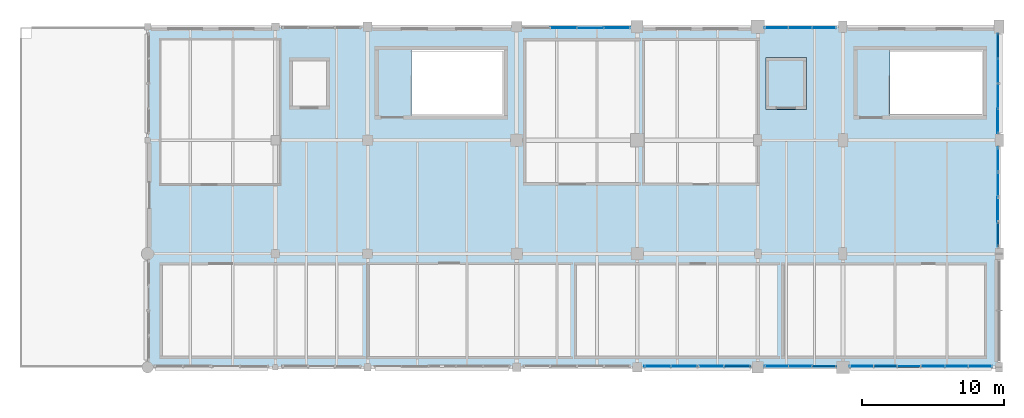
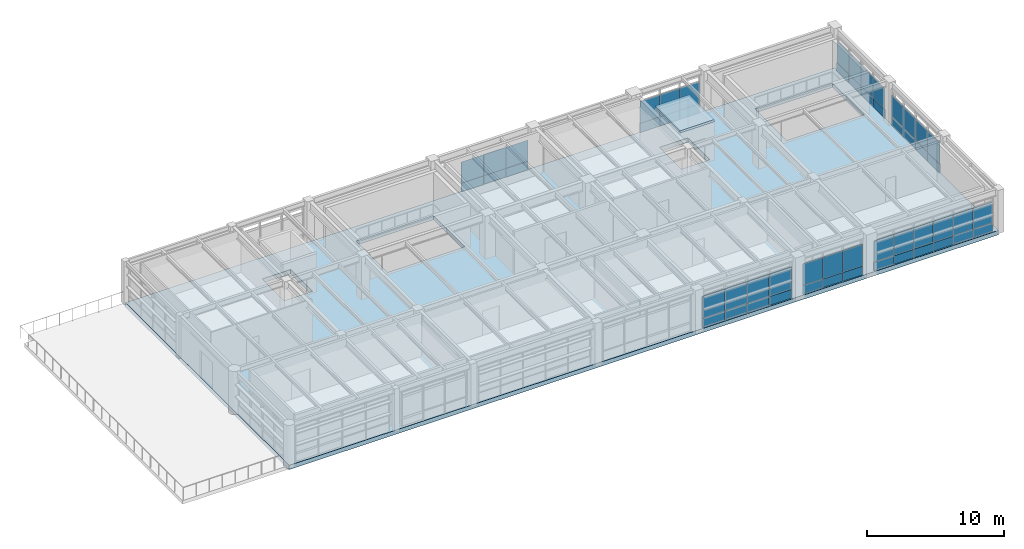
# One storey, part 22 of 26: 54 plates, 2 slabs, 7 elements without a shape of their own.
"""IFC4 building model written with IfcOpenShell, lengths in metres."""

from ifc_helpers import new_model, si_unit, direction, frame, origin, origin_2d, place, context, subcontext, project, spatial, polyline, rectangle, outline, extrude, material, layer, layer_set, type_object, element, aggregate, save


model = new_model("IFC4")

# Units and contexts
model_context = context("Model", 3, precision=1e-05, world=origin(), true_north=direction((0.0, 1.0)))
body_context = subcontext(model_context, "Body", "Model", "MODEL_VIEW")
ifc_project = project(units=[si_unit("LENGTHUNIT", "METRE"), si_unit("AREAUNIT", "SQUARE_METRE"), si_unit("VOLUMEUNIT", "CUBIC_METRE"), si_unit("PLANEANGLEUNIT", "RADIAN"), si_unit("MASSUNIT", "GRAM", prefix="KILO"), si_unit("THERMODYNAMICTEMPERATUREUNIT", "KELVIN"), si_unit("POWERUNIT", "WATT")], contexts=[model_context])

# Site, building, storey
site_placement = place(None, origin())
site = spatial("IfcSite", under=ifc_project, at=site_placement, CompositionType="ELEMENT")
building_placement = place(site_placement, origin())
building = spatial("IfcBuilding", under=site, at=building_placement, Name="Tepalcoro Natatorium and Aquatics Centre", CompositionType="ELEMENT")
storey_placement = place(building_placement, frame((0.0, 0.0, 19.0)))
storey = spatial("IfcBuildingStorey", under=building, at=storey_placement, Name="L04", CompositionType="ELEMENT", Elevation=19.0)

# Curtain wall, plates
ifc_material_1 = material(Name="Bronze-Anodised Extruded Aluminium Alloy EN AW-6063 T6", Category="aluminium")
curtain_wall_type_1 = type_object("IfcCurtainWallType", Name="CW_V5_UPPER", PredefinedType="USERDEFINED", material=ifc_material_1)
curtain_wall_1_placement = place(storey_placement, origin())
curtain_wall_1 = element("IfcCurtainWall", 1, at=curtain_wall_1_placement, inside=storey, type_object=curtain_wall_type_1, Name="V5 L04 S Unitised Curtain Wall Bay 5", ObjectType="FACETED SOLAR GLAZING", PredefinedType="USERDEFINED")
ifc_material_2 = material(Name="Solar-Control Bronze Tempered Low-E Double Glazing", Category="glass")
ifc_layer_1 = layer(ifc_material_2, 0.048095703125)
ifc_layer_set_1 = layer_set([ifc_layer_1], Name="Solar-Control Bronze Tempered Low-E Double Glazing")
plate_type_1 = type_object("IfcPlateType", Name="PL_ACOUSTIC_IGU_48", PredefinedType="CURTAIN_PANEL", material=ifc_layer_set_1)
plate_1_placement = place(storey_placement, frame((151.922607421875, 94.0712890625, 0.85009765625), z_axis=(0.0, 0.0, 1.0), x_axis=(1.0, 0.0, 0.0)))
plate_1 = element("IfcPlate", 2, at=plate_1_placement, type_object=plate_type_1, Name="CW_V5_UPPER Insulated Glazing Unit", PredefinedType="CURTAIN_PANEL", context=body_context, shape_type="SweptSolid", body=[
    extrude(rectangle(XDim=1.864990234375, YDim=0.048095703125, at=origin_2d()), origin(), (0.0, 0.0, 1.0), 1.96240234375),
])
plate_2_placement = place(storey_placement, frame((157.577392578125, 94.0712890625, 0.85009765625), z_axis=(0.0, 0.0, 1.0), x_axis=(1.0, 0.0, 0.0)))
plate_2 = element("IfcPlate", 3, at=plate_2_placement, type_object=plate_type_1, Name="CW_V5_UPPER Insulated Glazing Unit", PredefinedType="CURTAIN_PANEL", context=body_context, shape_type="SweptSolid", body=[
    extrude(rectangle(XDim=1.864990234375, YDim=0.048095703125, at=origin_2d()), origin(), (0.0, 0.0, 1.0), 1.96240234375),
])

# Curtain wall, plate
curtain_wall_type_2 = type_object("IfcCurtainWallType", Name="CW_LEAN_T1_NS", PredefinedType="USERDEFINED", material=ifc_material_1)
curtain_wall_2_placement = place(storey_placement, origin())
curtain_wall_2 = element("IfcCurtainWall", 4, at=curtain_wall_2_placement, inside=storey, type_object=curtain_wall_type_2, Name="V5 L04 S Unitised Curtain Wall Bay 6", ObjectType="FACETED SOLAR GLAZING", PredefinedType="USERDEFINED")
plate_3_placement = place(storey_placement, frame((163.679931640625, 94.06494140625, 0.8310546875), z_axis=(0.0, 0.0, 1.0), x_axis=(1.0, 0.0, 0.0)))
plate_3 = element("IfcPlate", 5, at=plate_3_placement, type_object=plate_type_1, Name="CW_LEAN_T1_NS Insulated Glazing Unit", PredefinedType="CURTAIN_PANEL", context=body_context, shape_type="SweptSolid", body=[
    extrude(rectangle(XDim=1.659912109375, YDim=0.048095703125, at=origin_2d()), origin(), (0.0, 0.0, 1.0), 1.91748046875),
])

# Curtain wall, plates
curtain_wall_type_3 = type_object("IfcCurtainWallType", Name="CW_LEAN_T1_EW", PredefinedType="USERDEFINED", material=ifc_material_1)
curtain_wall_3_placement = place(storey_placement, origin())
curtain_wall_3 = element("IfcCurtainWall", 6, at=curtain_wall_3_placement, inside=storey, type_object=curtain_wall_type_3, Name="V5 L04 S Unitised Curtain Wall Bay 7", ObjectType="FACETED SOLAR GLAZING", PredefinedType="USERDEFINED")
plate_4_placement = place(storey_placement, frame((167.989990234375, 94.0712890625, 0.81201171875), z_axis=(0.0, 0.0, 1.0), x_axis=(1.0, 0.0, 0.0)))
plate_4 = element("IfcPlate", 7, at=plate_4_placement, type_object=plate_type_1, Name="CW_LEAN_T1_EW Insulated Glazing Unit", PredefinedType="CURTAIN_PANEL", context=body_context, shape_type="SweptSolid", body=[
    extrude(rectangle(XDim=1.6533203125, YDim=0.048095703125, at=origin_2d()), origin(), (0.0, 0.0, 1.0), 1.872802734375),
])
plate_5_placement = place(storey_placement, frame((173.010009765625, 94.0712890625, 0.81201171875), z_axis=(0.0, 0.0, 1.0), x_axis=(1.0, 0.0, 0.0)))
plate_5 = element("IfcPlate", 8, at=plate_5_placement, type_object=plate_type_1, Name="CW_LEAN_T1_EW Insulated Glazing Unit", PredefinedType="CURTAIN_PANEL", context=body_context, shape_type="SweptSolid", body=[
    extrude(rectangle(XDim=1.6533203125, YDim=0.048095703125, at=origin_2d()), origin(), (0.0, 0.0, 1.0), 1.872802734375),
])

# Curtain wall, plate
curtain_wall_type_4 = type_object("IfcCurtainWallType", Name="CW_LEAN_T2_EW", PredefinedType="USERDEFINED", material=ifc_material_1)
curtain_wall_4_placement = place(storey_placement, origin())
curtain_wall_4 = element("IfcCurtainWall", 9, at=curtain_wall_4_placement, inside=storey, type_object=curtain_wall_type_4, Name="V5 L04 N Unitised Curtain Wall Bay 4", ObjectType="FACETED SOLAR GLAZING", PredefinedType="USERDEFINED")
plate_6_placement = place(storey_placement, frame((147.1923828125, 117.919921875, 0.81201171875), z_axis=(0.0, 0.0, 1.0), x_axis=(1.0, 0.0, 0.0)))
plate_6 = element("IfcPlate", 10, at=plate_6_placement, type_object=plate_type_1, Name="CW_LEAN_T2_EW Insulated Glazing Unit", PredefinedType="CURTAIN_PANEL", context=body_context, shape_type="SweptSolid", body=[
    extrude(rectangle(XDim=1.864990234375, YDim=0.048095703125, at=origin_2d()), origin(), (0.0, 0.0, 1.0), 1.872802734375),
])

curtain_wall_type_5 = type_object("IfcCurtainWallType", Name="CW_V2_DIVING", PredefinedType="USERDEFINED", material=ifc_material_1)
curtain_wall_5_placement = place(storey_placement, origin())
curtain_wall_5 = element("IfcCurtainWall", 11, at=curtain_wall_5_placement, inside=storey, type_object=curtain_wall_type_5, Name="V5 L04 N Unitised Curtain Wall Bay 6", ObjectType="FACETED SOLAR GLAZING", PredefinedType="USERDEFINED")
plate_7_placement = place(storey_placement, frame((162.0, 117.93505859375, 0.85009765625), z_axis=(0.0, 0.0, 1.0), x_axis=(1.0, 0.0, 0.0)))
plate_7 = element("IfcPlate", 12, at=plate_7_placement, type_object=plate_type_1, Name="CW_V2_DIVING Insulated Glazing Unit", PredefinedType="CURTAIN_PANEL", context=body_context, shape_type="SweptSolid", body=[
    extrude(rectangle(XDim=1.659912109375, YDim=0.048095703125, at=origin_2d()), origin(), (0.0, 0.0, 1.0), 1.96240234375),
])

# Curtain wall, plates
curtain_wall_type_6 = type_object("IfcCurtainWallType", Name="CW_LEAN_T2_NS", PredefinedType="USERDEFINED", material=ifc_material_1)
curtain_wall_6_placement = place(storey_placement, origin())
curtain_wall_6 = element("IfcCurtainWall", 13, at=curtain_wall_6_placement, inside=storey, type_object=curtain_wall_type_6, Name="V5 L04 E Unitised Curtain Wall Bay 2", ObjectType="FACETED SOLAR GLAZING", PredefinedType="USERDEFINED")
plate_8_placement = place(storey_placement, frame((175.923828125, 103.360107421875, 0.8310546875), z_axis=(0.0, 0.0, 1.0), x_axis=(1.0, 0.0, 0.0)))
plate_8 = element("IfcPlate", 14, at=plate_8_placement, type_object=plate_type_1, Name="CW_LEAN_T2_NS Insulated Glazing Unit", PredefinedType="CURTAIN_PANEL", context=body_context, shape_type="SweptSolid", body=[
    extrude(rectangle(XDim=0.048095703125, YDim=1.739990234375, at=origin_2d()), origin(), (0.0, 0.0, 1.0), 1.91748046875),
])
plate_9_placement = place(storey_placement, frame((175.923828125, 108.639892578125, 0.8310546875), z_axis=(0.0, 0.0, 1.0), x_axis=(1.0, 0.0, 0.0)))
plate_9 = element("IfcPlate", 15, at=plate_9_placement, type_object=plate_type_1, Name="CW_LEAN_T2_NS Insulated Glazing Unit", PredefinedType="CURTAIN_PANEL", context=body_context, shape_type="SweptSolid", body=[
    extrude(rectangle(XDim=0.048095703125, YDim=1.739990234375, at=origin_2d()), origin(), (0.0, 0.0, 1.0), 1.91748046875),
])

# Curtain wall, plate
curtain_wall_7_placement = place(storey_placement, origin())
curtain_wall_7 = element("IfcCurtainWall", 16, at=curtain_wall_7_placement, inside=storey, type_object=curtain_wall_type_4, Name="V5 L04 E Unitised Curtain Wall Bay 3", ObjectType="FACETED SOLAR GLAZING", PredefinedType="USERDEFINED")
plate_10_placement = place(storey_placement, frame((175.923828125, 114.8798828125, 0.81201171875), z_axis=(0.0, 0.0, 1.0), x_axis=(1.0, 0.0, 0.0)))
plate_10 = element("IfcPlate", 17, at=plate_10_placement, type_object=plate_type_1, Name="CW_LEAN_T2_EW Insulated Glazing Unit", PredefinedType="CURTAIN_PANEL", context=body_context, shape_type="SweptSolid", body=[
    extrude(rectangle(XDim=0.048095703125, YDim=1.739990234375, at=origin_2d()), origin(), (0.0, 0.0, 1.0), 1.872802734375),
])

# Plate
ifc_layer_2 = layer(ifc_material_2, 0.028076171875)
ifc_layer_set_2 = layer_set([ifc_layer_2], Name="Solar-Control Bronze Tempered Low-E Double Glazing")
plate_type_2 = type_object("IfcPlateType", Name="PL_BRONZE_IGU_28", PredefinedType="CURTAIN_PANEL", material=ifc_layer_set_2)
plate_11_placement = place(storey_placement, frame((155.6923828125, 94.0712890625, 0.85009765625), z_axis=(0.0, 0.0, 1.0), x_axis=(1.0, 0.0, 0.0)))
plate_11 = element("IfcPlate", 18, at=plate_11_placement, type_object=plate_type_2, Name="CW_V5_UPPER Insulated Glazing Unit", PredefinedType="CURTAIN_PANEL", context=body_context, shape_type="SweptSolid", body=[
    extrude(rectangle(XDim=1.864990234375, YDim=0.028076171875, at=origin_2d()), origin(), (0.0, 0.0, 1.0), 1.96240234375),
])

plate_12_placement = place(storey_placement, frame((162.0, 94.06494140625, 0.8310546875), z_axis=(0.0, 0.0, 1.0), x_axis=(1.0, 0.0, 0.0)))
plate_12 = element("IfcPlate", 19, at=plate_12_placement, type_object=plate_type_2, Name="CW_LEAN_T1_NS Insulated Glazing Unit", PredefinedType="CURTAIN_PANEL", context=body_context, shape_type="SweptSolid", body=[
    extrude(rectangle(XDim=1.659912109375, YDim=0.028076171875, at=origin_2d()), origin(), (0.0, 0.0, 1.0), 1.91748046875),
])

plate_13_placement = place(storey_placement, frame((166.316650390625, 94.0712890625, 0.81201171875), z_axis=(0.0, 0.0, 1.0), x_axis=(1.0, 0.0, 0.0)))
plate_13 = element("IfcPlate", 20, at=plate_13_placement, type_object=plate_type_2, Name="CW_LEAN_T1_EW Insulated Glazing Unit", PredefinedType="CURTAIN_PANEL", context=body_context, shape_type="SweptSolid", body=[
    extrude(rectangle(XDim=1.6533203125, YDim=0.028076171875, at=origin_2d()), origin(), (0.0, 0.0, 1.0), 1.872802734375),
])

plate_14_placement = place(storey_placement, frame((171.336669921875, 94.0712890625, 0.81201171875), z_axis=(0.0, 0.0, 1.0), x_axis=(1.0, 0.0, 0.0)))
plate_14 = element("IfcPlate", 21, at=plate_14_placement, type_object=plate_type_2, Name="CW_LEAN_T1_EW Insulated Glazing Unit", PredefinedType="CURTAIN_PANEL", context=body_context, shape_type="SweptSolid", body=[
    extrude(rectangle(XDim=1.6533203125, YDim=0.028076171875, at=origin_2d()), origin(), (0.0, 0.0, 1.0), 1.872802734375),
])

plate_15_placement = place(storey_placement, frame((145.3076171875, 117.919921875, 0.81201171875), z_axis=(0.0, 0.0, 1.0), x_axis=(1.0, 0.0, 0.0)))
plate_15 = element("IfcPlate", 22, at=plate_15_placement, type_object=plate_type_2, Name="CW_LEAN_T2_EW Insulated Glazing Unit", PredefinedType="CURTAIN_PANEL", context=body_context, shape_type="SweptSolid", body=[
    extrude(rectangle(XDim=1.864990234375, YDim=0.028076171875, at=origin_2d()), origin(), (0.0, 0.0, 1.0), 1.872802734375),
])

plate_16_placement = place(storey_placement, frame((160.320068359375, 117.93505859375, 0.85009765625), z_axis=(0.0, 0.0, 1.0), x_axis=(1.0, 0.0, 0.0)))
plate_16 = element("IfcPlate", 23, at=plate_16_placement, type_object=plate_type_2, Name="CW_V2_DIVING Insulated Glazing Unit", PredefinedType="CURTAIN_PANEL", context=body_context, shape_type="SweptSolid", body=[
    extrude(rectangle(XDim=1.659912109375, YDim=0.028076171875, at=origin_2d()), origin(), (0.0, 0.0, 1.0), 1.96240234375),
])

plate_17_placement = place(storey_placement, frame((175.923828125, 106.8798828125, 0.8310546875), z_axis=(0.0, 0.0, 1.0), x_axis=(1.0, 0.0, 0.0)))
plate_17 = element("IfcPlate", 24, at=plate_17_placement, type_object=plate_type_2, Name="CW_LEAN_T2_NS Insulated Glazing Unit", PredefinedType="CURTAIN_PANEL", context=body_context, shape_type="SweptSolid", body=[
    extrude(rectangle(XDim=0.028076171875, YDim=1.739990234375, at=origin_2d()), origin(), (0.0, 0.0, 1.0), 1.91748046875),
])

plate_18_placement = place(storey_placement, frame((175.923828125, 113.1201171875, 0.81201171875), z_axis=(0.0, 0.0, 1.0), x_axis=(1.0, 0.0, 0.0)))
plate_18 = element("IfcPlate", 25, at=plate_18_placement, type_object=plate_type_2, Name="CW_LEAN_T2_EW Insulated Glazing Unit", PredefinedType="CURTAIN_PANEL", context=body_context, shape_type="SweptSolid", body=[
    extrude(rectangle(XDim=0.028076171875, YDim=1.739990234375, at=origin_2d()), origin(), (0.0, 0.0, 1.0), 1.872802734375),
])

ifc_material_3 = material(Name="Jalisco Cantera Rosa Volcanic Tuff Ashlar Masonry", Category="masonry")
ifc_layer_3 = layer(ifc_material_3, 0.090087890625)
ifc_layer_set_3 = layer_set([ifc_layer_3], Name="Jalisco Cantera Rosa Volcanic Tuff Ashlar Masonry")
plate_type_3 = type_object("IfcPlateType", Name="PL_CANTERA_90", PredefinedType="SHEET", material=ifc_layer_set_3)
plate_19_placement = place(storey_placement, frame((157.577392578125, 94.0712890625, 0.044921875), z_axis=(0.0, 0.0, 1.0), x_axis=(1.0, 0.0, 0.0)))
plate_19 = element("IfcPlate", 26, at=plate_19_placement, type_object=plate_type_3, Name="CW_V5_UPPER Spandrel & Screen Panel", PredefinedType="SHEET", context=body_context, shape_type="SweptSolid", body=[
    extrude(rectangle(XDim=1.864990234375, YDim=0.090087890625, at=origin_2d()), origin(), (0.0, 0.0, 1.0), 0.800048828125),
])

plate_20_placement = place(storey_placement, frame((163.679931640625, 94.06494140625, 0.044921875), z_axis=(0.0, 0.0, 1.0), x_axis=(1.0, 0.0, 0.0)))
plate_20 = element("IfcPlate", 27, at=plate_20_placement, type_object=plate_type_3, Name="CW_LEAN_T1_NS Spandrel & Screen Panel", PredefinedType="SHEET", context=body_context, shape_type="SweptSolid", body=[
    extrude(rectangle(XDim=1.659912109375, YDim=0.090087890625, at=origin_2d()), origin(), (0.0, 0.0, 1.0), 0.781005859375),
])

plate_21_placement = place(storey_placement, frame((167.989990234375, 94.0712890625, 0.044921875), z_axis=(0.0, 0.0, 1.0), x_axis=(1.0, 0.0, 0.0)))
plate_21 = element("IfcPlate", 28, at=plate_21_placement, type_object=plate_type_3, Name="CW_LEAN_T1_EW Spandrel & Screen Panel", PredefinedType="SHEET", context=body_context, shape_type="SweptSolid", body=[
    extrude(rectangle(XDim=1.6533203125, YDim=0.090087890625, at=origin_2d()), origin(), (0.0, 0.0, 1.0), 0.761962890625),
])

plate_22_placement = place(storey_placement, frame((175.923828125, 116.639892578125, 0.044921875), z_axis=(0.0, 0.0, 1.0), x_axis=(1.0, 0.0, 0.0)))
plate_22 = element("IfcPlate", 29, at=plate_22_placement, type_object=plate_type_3, Name="CW_LEAN_T2_EW Spandrel & Screen Panel", PredefinedType="SHEET", context=body_context, shape_type="SweptSolid", body=[
    extrude(rectangle(XDim=0.090087890625, YDim=1.739990234375, at=origin_2d()), origin(), (0.0, 0.0, 1.0), 0.761962890625),
])

ifc_material_4 = material(Name="Clear Tempered Low-E Safety Glazing", Category="glass")
ifc_layer_4 = layer(ifc_material_4, 0.011962890625)
ifc_layer_set_4 = layer_set([ifc_layer_4], Name="Clear Tempered Low-E Safety Glazing")
plate_type_4 = type_object("IfcPlateType", Name="PL_GLASS_12", PredefinedType="CURTAIN_PANEL", material=ifc_layer_set_4)
plate_23_placement = place(storey_placement, frame((153.8076171875, 94.0712890625, 0.85009765625), z_axis=(0.0, 0.0, 1.0), x_axis=(1.0, 0.0, 0.0)))
plate_23 = element("IfcPlate", 30, at=plate_23_placement, type_object=plate_type_4, Name="CW_V5_UPPER Insulated Glazing Unit", PredefinedType="CURTAIN_PANEL", context=body_context, shape_type="SweptSolid", body=[
    extrude(rectangle(XDim=1.864990234375, YDim=0.011962890625, at=origin_2d()), origin(), (0.0, 0.0, 1.0), 1.96240234375),
])

plate_24_placement = place(storey_placement, frame((160.320068359375, 94.06494140625, 0.8310546875), z_axis=(0.0, 0.0, 1.0), x_axis=(1.0, 0.0, 0.0)))
plate_24 = element("IfcPlate", 31, at=plate_24_placement, type_object=plate_type_4, Name="CW_LEAN_T1_NS Insulated Glazing Unit", PredefinedType="CURTAIN_PANEL", context=body_context, shape_type="SweptSolid", body=[
    extrude(rectangle(XDim=1.659912109375, YDim=0.011962890625, at=origin_2d()), origin(), (0.0, 0.0, 1.0), 1.91748046875),
])

plate_25_placement = place(storey_placement, frame((169.663330078125, 94.0712890625, 0.81201171875), z_axis=(0.0, 0.0, 1.0), x_axis=(1.0, 0.0, 0.0)))
plate_25 = element("IfcPlate", 32, at=plate_25_placement, type_object=plate_type_4, Name="CW_LEAN_T1_EW Insulated Glazing Unit", PredefinedType="CURTAIN_PANEL", context=body_context, shape_type="SweptSolid", body=[
    extrude(rectangle(XDim=1.6533203125, YDim=0.011962890625, at=origin_2d()), origin(), (0.0, 0.0, 1.0), 1.872802734375),
])

plate_26_placement = place(storey_placement, frame((174.683349609375, 94.0712890625, 0.81201171875), z_axis=(0.0, 0.0, 1.0), x_axis=(1.0, 0.0, 0.0)))
plate_26 = element("IfcPlate", 33, at=plate_26_placement, type_object=plate_type_4, Name="CW_LEAN_T1_EW Insulated Glazing Unit", PredefinedType="CURTAIN_PANEL", context=body_context, shape_type="SweptSolid", body=[
    extrude(rectangle(XDim=1.6533203125, YDim=0.011962890625, at=origin_2d()), origin(), (0.0, 0.0, 1.0), 1.872802734375),
])

plate_27_placement = place(storey_placement, frame((149.077392578125, 117.919921875, 0.81201171875), z_axis=(0.0, 0.0, 1.0), x_axis=(1.0, 0.0, 0.0)))
plate_27 = element("IfcPlate", 34, at=plate_27_placement, type_object=plate_type_4, Name="CW_LEAN_T2_EW Insulated Glazing Unit", PredefinedType="CURTAIN_PANEL", context=body_context, shape_type="SweptSolid", body=[
    extrude(rectangle(XDim=1.864990234375, YDim=0.011962890625, at=origin_2d()), origin(), (0.0, 0.0, 1.0), 1.872802734375),
])

plate_28_placement = place(storey_placement, frame((163.679931640625, 117.93505859375, 0.85009765625), z_axis=(0.0, 0.0, 1.0), x_axis=(1.0, 0.0, 0.0)))
plate_28 = element("IfcPlate", 35, at=plate_28_placement, type_object=plate_type_4, Name="CW_V2_DIVING Insulated Glazing Unit", PredefinedType="CURTAIN_PANEL", context=body_context, shape_type="SweptSolid", body=[
    extrude(rectangle(XDim=1.659912109375, YDim=0.011962890625, at=origin_2d()), origin(), (0.0, 0.0, 1.0), 1.96240234375),
])

plate_29_placement = place(storey_placement, frame((175.923828125, 105.1201171875, 0.8310546875), z_axis=(0.0, 0.0, 1.0), x_axis=(1.0, 0.0, 0.0)))
plate_29 = element("IfcPlate", 36, at=plate_29_placement, type_object=plate_type_4, Name="CW_LEAN_T2_NS Insulated Glazing Unit", PredefinedType="CURTAIN_PANEL", context=body_context, shape_type="SweptSolid", body=[
    extrude(rectangle(XDim=0.011962890625, YDim=1.739990234375, at=origin_2d()), origin(), (0.0, 0.0, 1.0), 1.91748046875),
])

plate_30_placement = place(storey_placement, frame((175.923828125, 111.360107421875, 0.81201171875), z_axis=(0.0, 0.0, 1.0), x_axis=(1.0, 0.0, 0.0)))
plate_30 = element("IfcPlate", 37, at=plate_30_placement, type_object=plate_type_4, Name="CW_LEAN_T2_EW Insulated Glazing Unit", PredefinedType="CURTAIN_PANEL", context=body_context, shape_type="SweptSolid", body=[
    extrude(rectangle(XDim=0.011962890625, YDim=1.739990234375, at=origin_2d()), origin(), (0.0, 0.0, 1.0), 1.872802734375),
])

plate_31_placement = place(storey_placement, frame((175.923828125, 116.639892578125, 0.81201171875), z_axis=(0.0, 0.0, 1.0), x_axis=(1.0, 0.0, 0.0)))
plate_31 = element("IfcPlate", 38, at=plate_31_placement, type_object=plate_type_4, Name="CW_LEAN_T2_EW Insulated Glazing Unit", PredefinedType="CURTAIN_PANEL", context=body_context, shape_type="SweptSolid", body=[
    extrude(rectangle(XDim=0.011962890625, YDim=1.739990234375, at=origin_2d()), origin(), (0.0, 0.0, 1.0), 1.872802734375),
])

ifc_material_5 = material(Name="Volcanic Recinto Basalt Ashlar Masonry", Category="masonry")
ifc_layer_5 = layer(ifc_material_5, 0.110107421875)
ifc_layer_set_5 = layer_set([ifc_layer_5], Name="Volcanic Recinto Basalt Ashlar Masonry")
plate_type_5 = type_object("IfcPlateType", Name="PL_RECINTO_110", PredefinedType="SHEET", material=ifc_layer_set_5)
plate_32_placement = place(storey_placement, frame((169.663330078125, 94.0712890625, 0.044921875), z_axis=(0.0, 0.0, 1.0), x_axis=(1.0, 0.0, 0.0)))
plate_32 = element("IfcPlate", 39, at=plate_32_placement, type_object=plate_type_5, Name="CW_LEAN_T1_EW Spandrel & Screen Panel", PredefinedType="SHEET", context=body_context, shape_type="SweptSolid", body=[
    extrude(rectangle(XDim=1.6533203125, YDim=0.110107421875, at=origin_2d()), origin(), (0.0, 0.0, 1.0), 0.761962890625),
])

plate_33_placement = place(storey_placement, frame((175.923828125, 103.360107421875, 0.044921875), z_axis=(0.0, 0.0, 1.0), x_axis=(1.0, 0.0, 0.0)))
plate_33 = element("IfcPlate", 40, at=plate_33_placement, type_object=plate_type_5, Name="CW_LEAN_T2_NS Spandrel & Screen Panel", PredefinedType="SHEET", context=body_context, shape_type="SweptSolid", body=[
    extrude(rectangle(XDim=0.110107421875, YDim=1.739990234375, at=origin_2d()), origin(), (0.0, 0.0, 1.0), 0.781005859375),
])

ifc_layer_6 = layer(ifc_material_1, 0.050048828125)
ifc_layer_set_6 = layer_set([ifc_layer_6], Name="Bronze-Anodised Extruded Aluminium Alloy EN AW-6063 T6")
plate_type_6 = type_object("IfcPlateType", Name="PL_SCREEN_50", PredefinedType="SHEET", material=ifc_layer_set_6)
plate_34_placement = place(storey_placement, frame((153.8076171875, 94.0712890625, 0.044921875), z_axis=(0.0, 0.0, 1.0), x_axis=(1.0, 0.0, 0.0)))
plate_34 = element("IfcPlate", 41, at=plate_34_placement, type_object=plate_type_6, Name="CW_V5_UPPER Spandrel & Screen Panel", PredefinedType="SHEET", context=body_context, shape_type="SweptSolid", body=[
    extrude(rectangle(XDim=1.864990234375, YDim=0.050048828125, at=origin_2d()), origin(), (0.0, 0.0, 1.0), 0.800048828125),
])

plate_35_placement = place(storey_placement, frame((160.320068359375, 94.06494140625, 0.044921875), z_axis=(0.0, 0.0, 1.0), x_axis=(1.0, 0.0, 0.0)))
plate_35 = element("IfcPlate", 42, at=plate_35_placement, type_object=plate_type_6, Name="CW_LEAN_T1_NS Spandrel & Screen Panel", PredefinedType="SHEET", context=body_context, shape_type="SweptSolid", body=[
    extrude(rectangle(XDim=1.659912109375, YDim=0.050048828125, at=origin_2d()), origin(), (0.0, 0.0, 1.0), 0.781005859375),
])

plate_36_placement = place(storey_placement, frame((173.010009765625, 94.0712890625, 0.044921875), z_axis=(0.0, 0.0, 1.0), x_axis=(1.0, 0.0, 0.0)))
plate_36 = element("IfcPlate", 43, at=plate_36_placement, type_object=plate_type_6, Name="CW_LEAN_T1_EW Spandrel & Screen Panel", PredefinedType="SHEET", context=body_context, shape_type="SweptSolid", body=[
    extrude(rectangle(XDim=1.6533203125, YDim=0.050048828125, at=origin_2d()), origin(), (0.0, 0.0, 1.0), 0.761962890625),
])

plate_37_placement = place(storey_placement, frame((147.1923828125, 117.919921875, 0.044921875), z_axis=(0.0, 0.0, 1.0), x_axis=(1.0, 0.0, 0.0)))
plate_37 = element("IfcPlate", 44, at=plate_37_placement, type_object=plate_type_6, Name="CW_LEAN_T2_EW Spandrel & Screen Panel", PredefinedType="SHEET", context=body_context, shape_type="SweptSolid", body=[
    extrude(rectangle(XDim=1.864990234375, YDim=0.050048828125, at=origin_2d()), origin(), (0.0, 0.0, 1.0), 0.761962890625),
])

plate_38_placement = place(storey_placement, frame((162.0, 117.93505859375, 0.044921875), z_axis=(0.0, 0.0, 1.0), x_axis=(1.0, 0.0, 0.0)))
plate_38 = element("IfcPlate", 45, at=plate_38_placement, type_object=plate_type_6, Name="CW_V2_DIVING Spandrel & Screen Panel", PredefinedType="SHEET", context=body_context, shape_type="SweptSolid", body=[
    extrude(rectangle(XDim=1.659912109375, YDim=0.050048828125, at=origin_2d()), origin(), (0.0, 0.0, 1.0), 0.800048828125),
])

plate_39_placement = place(storey_placement, frame((175.923828125, 106.8798828125, 0.044921875), z_axis=(0.0, 0.0, 1.0), x_axis=(1.0, 0.0, 0.0)))
plate_39 = element("IfcPlate", 46, at=plate_39_placement, type_object=plate_type_6, Name="CW_LEAN_T2_NS Spandrel & Screen Panel", PredefinedType="SHEET", context=body_context, shape_type="SweptSolid", body=[
    extrude(rectangle(XDim=0.050048828125, YDim=1.739990234375, at=origin_2d()), origin(), (0.0, 0.0, 1.0), 0.781005859375),
])

plate_40_placement = place(storey_placement, frame((175.923828125, 113.1201171875, 0.044921875), z_axis=(0.0, 0.0, 1.0), x_axis=(1.0, 0.0, 0.0)))
plate_40 = element("IfcPlate", 47, at=plate_40_placement, type_object=plate_type_6, Name="CW_LEAN_T2_EW Spandrel & Screen Panel", PredefinedType="SHEET", context=body_context, shape_type="SweptSolid", body=[
    extrude(rectangle(XDim=0.050048828125, YDim=1.739990234375, at=origin_2d()), origin(), (0.0, 0.0, 1.0), 0.761962890625),
])

ifc_layer_7 = layer(ifc_material_1, 0.06005859375)
ifc_layer_set_7 = layer_set([ifc_layer_7], Name="Bronze-Anodised Extruded Aluminium Alloy EN AW-6063 T6")
plate_type_7 = type_object("IfcPlateType", Name="PL_SCREEN_60", PredefinedType="SHEET", material=ifc_layer_set_7)
plate_41_placement = place(storey_placement, frame((155.6923828125, 94.0712890625, 0.044921875), z_axis=(0.0, 0.0, 1.0), x_axis=(1.0, 0.0, 0.0)))
plate_41 = element("IfcPlate", 48, at=plate_41_placement, type_object=plate_type_7, Name="CW_V5_UPPER Spandrel & Screen Panel", PredefinedType="SHEET", context=body_context, shape_type="SweptSolid", body=[
    extrude(rectangle(XDim=1.864990234375, YDim=0.06005859375, at=origin_2d()), origin(), (0.0, 0.0, 1.0), 0.800048828125),
])

plate_42_placement = place(storey_placement, frame((162.0, 94.06494140625, 0.044921875), z_axis=(0.0, 0.0, 1.0), x_axis=(1.0, 0.0, 0.0)))
plate_42 = element("IfcPlate", 49, at=plate_42_placement, type_object=plate_type_7, Name="CW_LEAN_T1_NS Spandrel & Screen Panel", PredefinedType="SHEET", context=body_context, shape_type="SweptSolid", body=[
    extrude(rectangle(XDim=1.659912109375, YDim=0.06005859375, at=origin_2d()), origin(), (0.0, 0.0, 1.0), 0.781005859375),
])

aggregate(curtain_wall_2, [plate_24, plate_35, plate_12, plate_42, plate_3, plate_20])

plate_43_placement = place(storey_placement, frame((166.316650390625, 94.0712890625, 0.044921875), z_axis=(0.0, 0.0, 1.0), x_axis=(1.0, 0.0, 0.0)))
plate_43 = element("IfcPlate", 50, at=plate_43_placement, type_object=plate_type_7, Name="CW_LEAN_T1_EW Spandrel & Screen Panel", PredefinedType="SHEET", context=body_context, shape_type="SweptSolid", body=[
    extrude(rectangle(XDim=1.6533203125, YDim=0.06005859375, at=origin_2d()), origin(), (0.0, 0.0, 1.0), 0.761962890625),
])

plate_44_placement = place(storey_placement, frame((174.683349609375, 94.0712890625, 0.044921875), z_axis=(0.0, 0.0, 1.0), x_axis=(1.0, 0.0, 0.0)))
plate_44 = element("IfcPlate", 51, at=plate_44_placement, type_object=plate_type_7, Name="CW_LEAN_T1_EW Spandrel & Screen Panel", PredefinedType="SHEET", context=body_context, shape_type="SweptSolid", body=[
    extrude(rectangle(XDim=1.6533203125, YDim=0.06005859375, at=origin_2d()), origin(), (0.0, 0.0, 1.0), 0.761962890625),
])

plate_45_placement = place(storey_placement, frame((149.077392578125, 117.919921875, 0.044921875), z_axis=(0.0, 0.0, 1.0), x_axis=(1.0, 0.0, 0.0)))
plate_45 = element("IfcPlate", 52, at=plate_45_placement, type_object=plate_type_7, Name="CW_LEAN_T2_EW Spandrel & Screen Panel", PredefinedType="SHEET", context=body_context, shape_type="SweptSolid", body=[
    extrude(rectangle(XDim=1.864990234375, YDim=0.06005859375, at=origin_2d()), origin(), (0.0, 0.0, 1.0), 0.761962890625),
])

plate_46_placement = place(storey_placement, frame((163.679931640625, 117.93505859375, 0.044921875), z_axis=(0.0, 0.0, 1.0), x_axis=(1.0, 0.0, 0.0)))
plate_46 = element("IfcPlate", 53, at=plate_46_placement, type_object=plate_type_7, Name="CW_V2_DIVING Spandrel & Screen Panel", PredefinedType="SHEET", context=body_context, shape_type="SweptSolid", body=[
    extrude(rectangle(XDim=1.659912109375, YDim=0.06005859375, at=origin_2d()), origin(), (0.0, 0.0, 1.0), 0.800048828125),
])

plate_47_placement = place(storey_placement, frame((175.923828125, 108.639892578125, 0.044921875), z_axis=(0.0, 0.0, 1.0), x_axis=(1.0, 0.0, 0.0)))
plate_47 = element("IfcPlate", 54, at=plate_47_placement, type_object=plate_type_7, Name="CW_LEAN_T2_NS Spandrel & Screen Panel", PredefinedType="SHEET", context=body_context, shape_type="SweptSolid", body=[
    extrude(rectangle(XDim=0.06005859375, YDim=1.739990234375, at=origin_2d()), origin(), (0.0, 0.0, 1.0), 0.781005859375),
])

plate_48_placement = place(storey_placement, frame((175.923828125, 114.8798828125, 0.044921875), z_axis=(0.0, 0.0, 1.0), x_axis=(1.0, 0.0, 0.0)))
plate_48 = element("IfcPlate", 55, at=plate_48_placement, type_object=plate_type_7, Name="CW_LEAN_T2_EW Spandrel & Screen Panel", PredefinedType="SHEET", context=body_context, shape_type="SweptSolid", body=[
    extrude(rectangle(XDim=0.06005859375, YDim=1.739990234375, at=origin_2d()), origin(), (0.0, 0.0, 1.0), 0.761962890625),
])

ifc_material_6 = material(Name="Insulated Bronze Anodised Aluminium Spandrel Panel", Category="aluminium")
ifc_layer_8 = layer(ifc_material_6, 0.070068359375)
ifc_layer_set_8 = layer_set([ifc_layer_8], Name="Insulated Bronze Anodised Aluminium Spandrel Panel")
plate_type_8 = type_object("IfcPlateType", Name="PL_SPANDREL_70", PredefinedType="CURTAIN_PANEL", material=ifc_layer_set_8)
plate_49_placement = place(storey_placement, frame((151.922607421875, 94.0712890625, 0.044921875), z_axis=(0.0, 0.0, 1.0), x_axis=(1.0, 0.0, 0.0)))
plate_49 = element("IfcPlate", 56, at=plate_49_placement, type_object=plate_type_8, Name="CW_V5_UPPER Spandrel & Screen Panel", PredefinedType="CURTAIN_PANEL", context=body_context, shape_type="SweptSolid", body=[
    extrude(rectangle(XDim=1.864990234375, YDim=0.070068359375, at=origin_2d()), origin(), (0.0, 0.0, 1.0), 0.800048828125),
])

aggregate(curtain_wall_1, [plate_1, plate_49, plate_23, plate_34, plate_11, plate_41, plate_2, plate_19])

plate_50_placement = place(storey_placement, frame((171.336669921875, 94.0712890625, 0.044921875), z_axis=(0.0, 0.0, 1.0), x_axis=(1.0, 0.0, 0.0)))
plate_50 = element("IfcPlate", 57, at=plate_50_placement, type_object=plate_type_8, Name="CW_LEAN_T1_EW Spandrel & Screen Panel", PredefinedType="CURTAIN_PANEL", context=body_context, shape_type="SweptSolid", body=[
    extrude(rectangle(XDim=1.6533203125, YDim=0.070068359375, at=origin_2d()), origin(), (0.0, 0.0, 1.0), 0.761962890625),
])

aggregate(curtain_wall_3, [plate_13, plate_43, plate_4, plate_21, plate_25, plate_32, plate_14, plate_50, plate_5, plate_36, plate_26, plate_44])

plate_51_placement = place(storey_placement, frame((145.3076171875, 117.919921875, 0.044921875), z_axis=(0.0, 0.0, 1.0), x_axis=(1.0, 0.0, 0.0)))
plate_51 = element("IfcPlate", 58, at=plate_51_placement, type_object=plate_type_8, Name="CW_LEAN_T2_EW Spandrel & Screen Panel", PredefinedType="CURTAIN_PANEL", context=body_context, shape_type="SweptSolid", body=[
    extrude(rectangle(XDim=1.864990234375, YDim=0.070068359375, at=origin_2d()), origin(), (0.0, 0.0, 1.0), 0.761962890625),
])

aggregate(curtain_wall_4, [plate_15, plate_51, plate_6, plate_37, plate_27, plate_45])

plate_52_placement = place(storey_placement, frame((160.320068359375, 117.93505859375, 0.044921875), z_axis=(0.0, 0.0, 1.0), x_axis=(1.0, 0.0, 0.0)))
plate_52 = element("IfcPlate", 59, at=plate_52_placement, type_object=plate_type_8, Name="CW_V2_DIVING Spandrel & Screen Panel", PredefinedType="CURTAIN_PANEL", context=body_context, shape_type="SweptSolid", body=[
    extrude(rectangle(XDim=1.659912109375, YDim=0.070068359375, at=origin_2d()), origin(), (0.0, 0.0, 1.0), 0.800048828125),
])

aggregate(curtain_wall_5, [plate_16, plate_52, plate_7, plate_38, plate_28, plate_46])

plate_53_placement = place(storey_placement, frame((175.923828125, 105.1201171875, 0.044921875), z_axis=(0.0, 0.0, 1.0), x_axis=(1.0, 0.0, 0.0)))
plate_53 = element("IfcPlate", 60, at=plate_53_placement, type_object=plate_type_8, Name="CW_LEAN_T2_NS Spandrel & Screen Panel", PredefinedType="CURTAIN_PANEL", context=body_context, shape_type="SweptSolid", body=[
    extrude(rectangle(XDim=0.070068359375, YDim=1.739990234375, at=origin_2d()), origin(), (0.0, 0.0, 1.0), 0.781005859375),
])

aggregate(curtain_wall_6, [plate_8, plate_33, plate_29, plate_53, plate_17, plate_39, plate_9, plate_47])

plate_54_placement = place(storey_placement, frame((175.923828125, 111.360107421875, 0.044921875), z_axis=(0.0, 0.0, 1.0), x_axis=(1.0, 0.0, 0.0)))
plate_54 = element("IfcPlate", 61, at=plate_54_placement, type_object=plate_type_8, Name="CW_LEAN_T2_EW Spandrel & Screen Panel", PredefinedType="CURTAIN_PANEL", context=body_context, shape_type="SweptSolid", body=[
    extrude(rectangle(XDim=0.070068359375, YDim=1.739990234375, at=origin_2d()), origin(), (0.0, 0.0, 1.0), 0.761962890625),
])

aggregate(curtain_wall_7, [plate_30, plate_54, plate_18, plate_40, plate_10, plate_48, plate_31, plate_22])

# Slabs
ifc_material_7 = material(Name="Concrete C40/50 (fc 40 MPa)", Category="concrete")
ifc_layer_9 = layer(ifc_material_7, 0.3798828125)
ifc_layer_set_9 = layer_set([ifc_layer_9], Name="Concrete C40/50 (fc 40 MPa)")
slab_type_1 = type_object("IfcSlabType", Name="SL_FLOOR_380", PredefinedType="FLOOR", material=ifc_layer_set_9)
slab_1_placement = place(storey_placement, frame((0.0, 0.0, -0.3798828125)))
element("IfcSlab", 62, at=slab_1_placement, inside=storey, type_object=slab_type_1, Name="V5 L04 Natatorium and Civic Floor Slab MAIN", PredefinedType="FLOOR", context=body_context, shape_type="SweptSolid", body=[
    extrude(outline(polyline([(176.0, 94.0), (116.0, 94.0), (116.0, 118.0), (176.0, 118.0), (176.0, 94.0)]), holes=[polyline([(134.580078125, 111.75), (141.10009765625, 111.75), (141.10009765625, 116.35009765625), (134.580078125, 116.35009765625), (134.580078125, 111.75)]), polyline([(168.31005859375, 116.3701171875), (168.31005859375, 111.72998046875), (174.8701171875, 111.72998046875), (174.8701171875, 116.3701171875), (168.31005859375, 116.3701171875)]), polyline([(128.60009765625, 115.60009765625), (126.199951171875, 115.60009765625), (126.199951171875, 112.39990234375), (128.60009765625, 112.39990234375), (128.60009765625, 115.60009765625)]), polyline([(162.199951171875, 112.39990234375), (162.199951171875, 115.60009765625), (159.800048828125, 115.60009765625), (159.800048828125, 112.39990234375), (162.199951171875, 112.39990234375)])]), origin(), (0.0, 0.0, 1.0), 0.3798828125),
])
ifc_material_8 = material(Name="Concrete C35/45 (fc 35 MPa)", Category="concrete")
ifc_layer_10 = layer(ifc_material_8, 0.199951171875)
ifc_layer_set_10 = layer_set([ifc_layer_10], Name="Concrete C35/45 (fc 35 MPa)")
slab_type_2 = type_object("IfcSlabType", Name="SL_LANDING_200", PredefinedType="LANDING", material=ifc_layer_set_10)
slab_2_placement = place(storey_placement, frame((0.0, 0.0, 3.449951171875)))
element("IfcSlab", 63, at=slab_2_placement, inside=storey, type_object=slab_type_2, Name="LF06 Lift Shaft Overrun Cap Slab", PredefinedType="FLOOR", context=body_context, shape_type="SweptSolid", body=[
    extrude(outline(polyline([(159.56005859375, 112.159912109375), (162.43994140625, 112.159912109375), (162.43994140625, 115.840087890625), (159.56005859375, 115.840087890625), (159.56005859375, 112.159912109375)])), origin(), (0.0, 0.0, 1.0), 0.199951171875),
])

save(model, "model.ifc")
